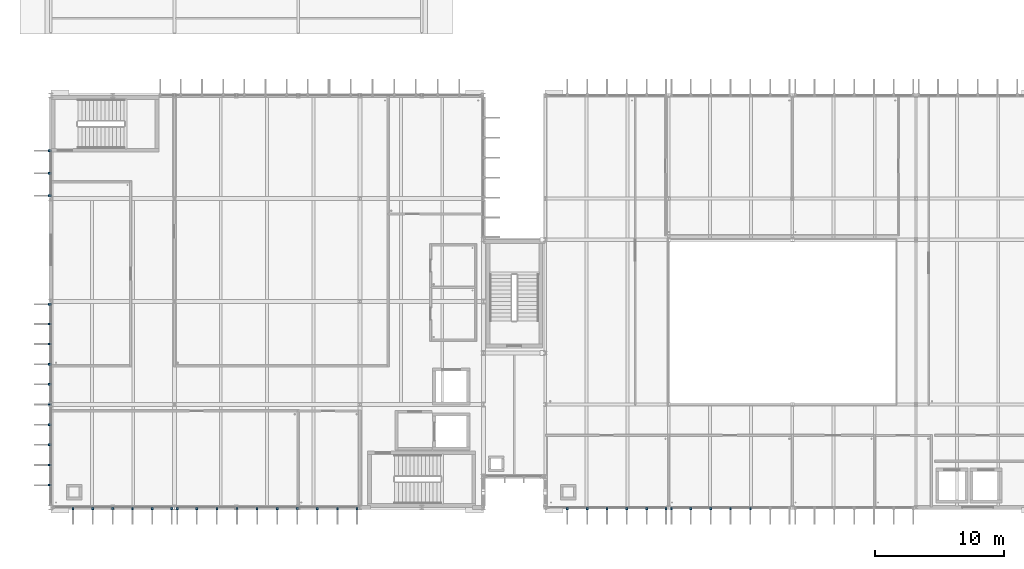
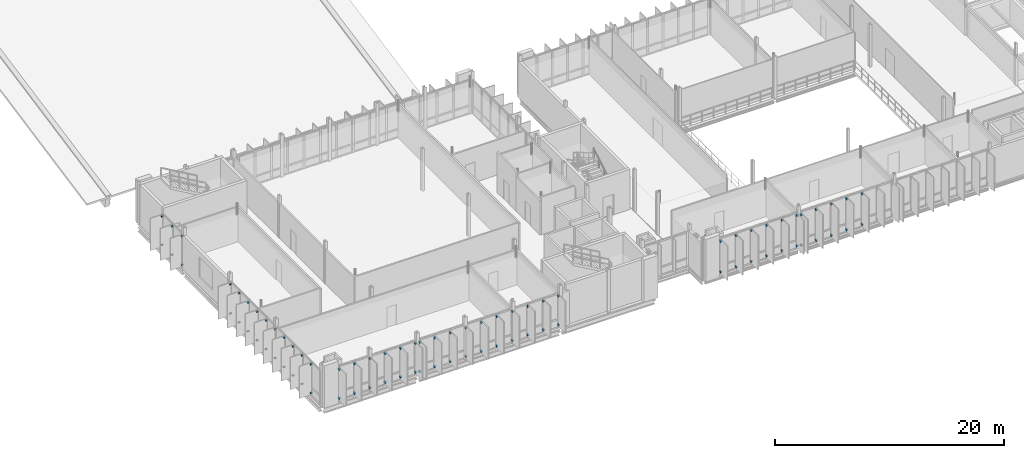
# One storey, part 50 of 59: 80 discrete accessories.
"""IFC4 building model written with IfcOpenShell, lengths in metres."""

from ifc_helpers import new_model, si_unit, direction, frame, origin, origin_2d, place, context, subcontext, project, spatial, rectangle, extrude, material, type_object, element, save


model = new_model("IFC4")

# Units and contexts
model_context = context("Model", 3, precision=1e-05, world=origin(), true_north=direction((0.0, 1.0)))
body_context = subcontext(model_context, "Body", "Model", "MODEL_VIEW")
ifc_project = project(units=[si_unit("LENGTHUNIT", "METRE"), si_unit("AREAUNIT", "SQUARE_METRE"), si_unit("VOLUMEUNIT", "CUBIC_METRE"), si_unit("PLANEANGLEUNIT", "RADIAN"), si_unit("MASSUNIT", "GRAM", prefix="KILO")], contexts=[model_context])

# Site, building, storey
site_placement = place(None, origin())
site = spatial("IfcSite", under=ifc_project, at=site_placement, CompositionType="ELEMENT")
building_placement = place(site_placement, origin())
building = spatial("IfcBuilding", under=site, at=building_placement, Name="Dunescarp Central Library", CompositionType="ELEMENT")
storey_placement = place(building_placement, frame((0.0, 0.0, 18.60009765625)))
storey = spatial("IfcBuildingStorey", under=building, at=storey_placement, Name="L04", CompositionType="ELEMENT", Elevation=18.60009765625)

# Discrete accessories
ifc_material = material(Name="Stainless steel Grade 316L", Category="steel")
discrete_accessory_type = type_object("IfcDiscreteAccessoryType", Name="ARC-ACC-BRK", PredefinedType="BRACKET", material=ifc_material)
for number, where, z_axis, x_axis, name in (
    (1, (9.385009765625, 4.719970703125, 0.27685546875), (0.0, 0.0, 1.0), (0.0, -1.0, 0.0), "Fin bracket BRK-FIN-L04-0163-B"),
    (2, (9.385009765625, 4.719970703125, 3.3349609375), (0.0, 0.0, 1.0), (0.0, -1.0, 0.0), "Fin bracket BRK-FIN-L04-0163-T"),
    (3, (7.883056640625, 4.719970703125, 0.2900390625), (0.0, 0.0, 1.0), (0.0, -1.0, 0.0), "Fin bracket BRK-FIN-L04-0164-B"),
    (4, (7.883056640625, 4.719970703125, 3.3349609375), (0.0, 0.0, 1.0), (0.0, -1.0, 0.0), "Fin bracket BRK-FIN-L04-0164-T"),
    (5, (6.342041015625, 4.719970703125, 0.27392578125), (0.0, 0.0, 1.0), (0.0, -1.0, 0.0), "Fin bracket BRK-FIN-L04-0165-B"),
    (6, (6.342041015625, 4.719970703125, 3.3349609375), (0.0, 0.0, 1.0), (0.0, -1.0, 0.0), "Fin bracket BRK-FIN-L04-0165-T"),
    (7, (4.800048828125, 4.719970703125, 0.23291015625), (0.0, 0.0, 1.0), (0.0, -1.0, 0.0), "Fin bracket BRK-FIN-L04-0166-B"),
    (8, (4.800048828125, 4.719970703125, 3.3349609375), (0.0, 0.0, 1.0), (0.0, -1.0, 0.0), "Fin bracket BRK-FIN-L04-0166-T"),
    (9, (3.258056640625, 4.719970703125, 0.18994140625), (0.0, 0.0, 1.0), (0.0, -1.0, 0.0), "Fin bracket BRK-FIN-L04-0167-B"),
    (10, (3.258056640625, 4.719970703125, 3.32373046875), (0.0, 0.0, 1.0), (0.0, -1.0, 0.0), "Fin bracket BRK-FIN-L04-0167-T"),
    (11, (1.717041015625, 4.719970703125, 0.18994140625), (0.0, 0.0, 1.0), (0.0, -1.0, 0.0), "Fin bracket BRK-FIN-L04-0168-B"),
    (12, (1.717041015625, 4.719970703125, 3.27392578125), (0.0, 0.0, 1.0), (0.0, -1.0, 0.0), "Fin bracket BRK-FIN-L04-0168-T"),
    (13, (23.784912109375, 4.719970703125, 0.27685546875), (0.0, 0.0, 1.0), (0.0, -1.0, 0.0), "Fin bracket BRK-FIN-L04-0169-B"),
    (14, (23.784912109375, 4.719970703125, 3.3349609375), (0.0, 0.0, 1.0), (0.0, -1.0, 0.0), "Fin bracket BRK-FIN-L04-0169-T"),
    (15, (22.263916015625, 4.719970703125, 0.2900390625), (0.0, 0.0, 1.0), (0.0, -1.0, 0.0), "Fin bracket BRK-FIN-L04-0170-B"),
    (16, (22.263916015625, 4.719970703125, 3.3349609375), (0.0, 0.0, 1.0), (0.0, -1.0, 0.0), "Fin bracket BRK-FIN-L04-0170-T"),
    (17, (20.702880859375, 4.719970703125, 0.27392578125), (0.0, 0.0, 1.0), (0.0, -1.0, 0.0), "Fin bracket BRK-FIN-L04-0171-B"),
    (18, (20.702880859375, 4.719970703125, 3.3349609375), (0.0, 0.0, 1.0), (0.0, -1.0, 0.0), "Fin bracket BRK-FIN-L04-0171-T"),
    (19, (19.14208984375, 4.719970703125, 0.23291015625), (0.0, 0.0, 1.0), (0.0, -1.0, 0.0), "Fin bracket BRK-FIN-L04-0172-B"),
    (20, (19.14208984375, 4.719970703125, 3.3349609375), (0.0, 0.0, 1.0), (0.0, -1.0, 0.0), "Fin bracket BRK-FIN-L04-0172-T"),
    (21, (17.5810546875, 4.719970703125, 0.18994140625), (0.0, 0.0, 1.0), (0.0, -1.0, 0.0), "Fin bracket BRK-FIN-L04-0173-B"),
    (22, (17.5810546875, 4.719970703125, 3.32373046875), (0.0, 0.0, 1.0), (0.0, -1.0, 0.0), "Fin bracket BRK-FIN-L04-0173-T"),
    (23, (16.01904296875, 4.719970703125, 0.18994140625), (0.0, 0.0, 1.0), (0.0, -1.0, 0.0), "Fin bracket BRK-FIN-L04-0174-B"),
    (24, (16.01904296875, 4.719970703125, 3.27392578125), (0.0, 0.0, 1.0), (0.0, -1.0, 0.0), "Fin bracket BRK-FIN-L04-0174-T"),
    (25, (14.4580078125, 4.719970703125, 0.18994140625), (0.0, 0.0, 1.0), (0.0, -1.0, 0.0), "Fin bracket BRK-FIN-L04-0175-B"),
    (26, (14.4580078125, 4.719970703125, 3.24072265625), (0.0, 0.0, 1.0), (0.0, -1.0, 0.0), "Fin bracket BRK-FIN-L04-0175-T"),
    (27, (12.89697265625, 4.719970703125, 0.18994140625), (0.0, 0.0, 1.0), (0.0, -1.0, 0.0), "Fin bracket BRK-FIN-L04-0176-B"),
    (28, (12.89697265625, 4.719970703125, 3.23681640625), (0.0, 0.0, 1.0), (0.0, -1.0, 0.0), "Fin bracket BRK-FIN-L04-0176-T"),
    (29, (11.3359375, 4.719970703125, 0.18994140625), (0.0, 0.0, 1.0), (0.0, -1.0, 0.0), "Fin bracket BRK-FIN-L04-0177-B"),
    (30, (11.3359375, 4.719970703125, 3.2607421875), (0.0, 0.0, 1.0), (0.0, -1.0, 0.0), "Fin bracket BRK-FIN-L04-0177-T"),
    (31, (9.81494140625, 4.719970703125, 0.18994140625), (0.0, 0.0, 1.0), (0.0, -1.0, 0.0), "Fin bracket BRK-FIN-L04-0178-B"),
    (32, (9.81494140625, 4.719970703125, 3.30712890625), (0.0, 0.0, 1.0), (0.0, -1.0, 0.0), "Fin bracket BRK-FIN-L04-0178-T"),
    (33, (-0.080078125, 6.5400390625, 0.2900390625), (0.0, 0.0, 1.0), (-1.0, 0.0, 0.0), "Fin bracket BRK-FIN-L04-0195-B"),
    (34, (-0.080078125, 6.5400390625, 3.3349609375), (0.0, 0.0, 1.0), (-1.0, 0.0, 0.0), "Fin bracket BRK-FIN-L04-0195-T"),
    (35, (-0.080078125, 8.10498046875, 0.27392578125), (0.0, 0.0, 1.0), (-1.0, 0.0, 0.0), "Fin bracket BRK-FIN-L04-0196-B"),
    (36, (-0.080078125, 8.10498046875, 3.3349609375), (0.0, 0.0, 1.0), (-1.0, 0.0, 0.0), "Fin bracket BRK-FIN-L04-0196-T"),
    (37, (-0.080078125, 9.669921875, 0.23291015625), (0.0, 0.0, 1.0), (-1.0, 0.0, 0.0), "Fin bracket BRK-FIN-L04-0197-B"),
    (38, (-0.080078125, 9.669921875, 3.3349609375), (0.0, 0.0, 1.0), (-1.0, 0.0, 0.0), "Fin bracket BRK-FIN-L04-0197-T"),
    (39, (-0.080078125, 11.235107421875, 0.18994140625), (0.0, 0.0, 1.0), (-1.0, 0.0, 0.0), "Fin bracket BRK-FIN-L04-0198-B"),
    (40, (-0.080078125, 11.235107421875, 3.32373046875), (0.0, 0.0, 1.0), (-1.0, 0.0, 0.0), "Fin bracket BRK-FIN-L04-0198-T"),
    (41, (-0.080078125, 12.800048828125, 0.18994140625), (0.0, 0.0, 1.0), (-1.0, 0.0, 0.0), "Fin bracket BRK-FIN-L04-0199-B"),
    (42, (-0.080078125, 12.800048828125, 3.27392578125), (0.0, 0.0, 1.0), (-1.0, 0.0, 0.0), "Fin bracket BRK-FIN-L04-0199-T"),
    (43, (-0.080078125, 14.364990234375, 0.18994140625), (0.0, 0.0, 1.0), (-1.0, 0.0, 0.0), "Fin bracket BRK-FIN-L04-0200-B"),
    (44, (-0.080078125, 14.364990234375, 3.24072265625), (0.0, 0.0, 1.0), (-1.0, 0.0, 0.0), "Fin bracket BRK-FIN-L04-0200-T"),
    (45, (-0.080078125, 15.929931640625, 0.18994140625), (0.0, 0.0, 1.0), (-1.0, 0.0, 0.0), "Fin bracket BRK-FIN-L04-0201-B"),
    (46, (-0.080078125, 15.929931640625, 3.23681640625), (0.0, 0.0, 1.0), (-1.0, 0.0, 0.0), "Fin bracket BRK-FIN-L04-0201-T"),
    (47, (-0.080078125, 17.4951171875, 0.18994140625), (0.0, 0.0, 1.0), (-1.0, 0.0, 0.0), "Fin bracket BRK-FIN-L04-0202-B"),
    (48, (-0.080078125, 17.4951171875, 3.2607421875), (0.0, 0.0, 1.0), (-1.0, 0.0, 0.0), "Fin bracket BRK-FIN-L04-0202-T"),
    (49, (-0.080078125, 19.06005859375, 0.18994140625), (0.0, 0.0, 1.0), (-1.0, 0.0, 0.0), "Fin bracket BRK-FIN-L04-0203-B"),
    (50, (-0.080078125, 19.06005859375, 3.30712890625), (0.0, 0.0, 1.0), (-1.0, 0.0, 0.0), "Fin bracket BRK-FIN-L04-0203-T"),
    (51, (-0.080078125, 20.5849609375, 0.2158203125), (0.0, 0.0, 1.0), (-1.0, 0.0, 0.0), "Fin bracket BRK-FIN-L04-0204-B"),
    (52, (-0.080078125, 20.5849609375, 3.3349609375), (0.0, 0.0, 1.0), (-1.0, 0.0, 0.0), "Fin bracket BRK-FIN-L04-0204-T"),
    (53, (-0.080078125, 29.014892578125, 0.27685546875), (0.0, 0.0, 1.0), (-1.0, 0.0, 0.0), "Fin bracket BRK-FIN-L04-0205-B"),
    (54, (-0.080078125, 29.014892578125, 3.3349609375), (0.0, 0.0, 1.0), (-1.0, 0.0, 0.0), "Fin bracket BRK-FIN-L04-0205-T"),
    (55, (-0.080078125, 30.761962890625, 0.2900390625), (0.0, 0.0, 1.0), (-1.0, 0.0, 0.0), "Fin bracket BRK-FIN-L04-0206-B"),
    (56, (-0.080078125, 30.761962890625, 3.3349609375), (0.0, 0.0, 1.0), (-1.0, 0.0, 0.0), "Fin bracket BRK-FIN-L04-0206-T"),
    (57, (-0.080078125, 32.510009765625, 0.27392578125), (0.0, 0.0, 1.0), (-1.0, 0.0, 0.0), "Fin bracket BRK-FIN-L04-0207-B"),
    (58, (-0.080078125, 32.510009765625, 3.3349609375), (0.0, 0.0, 1.0), (-1.0, 0.0, 0.0), "Fin bracket BRK-FIN-L04-0207-T"),
    (59, (47.784912109375, 4.719970703125, 0.27685546875), (0.0, 0.0, 1.0), (0.0, -1.0, 0.0), "Fin bracket BRK-FIN-L04-0464-B"),
    (60, (47.784912109375, 4.719970703125, 3.52490234375), (0.0, 0.0, 1.0), (0.0, -1.0, 0.0), "Fin bracket BRK-FIN-L04-0464-T"),
    (61, (46.282958984375, 4.719970703125, 0.2900390625), (0.0, 0.0, 1.0), (0.0, -1.0, 0.0), "Fin bracket BRK-FIN-L04-0465-B"),
    (62, (46.282958984375, 4.719970703125, 3.52490234375), (0.0, 0.0, 1.0), (0.0, -1.0, 0.0), "Fin bracket BRK-FIN-L04-0465-T"),
    (63, (44.741943359375, 4.719970703125, 0.27392578125), (0.0, 0.0, 1.0), (0.0, -1.0, 0.0), "Fin bracket BRK-FIN-L04-0466-B"),
    (64, (44.741943359375, 4.719970703125, 3.52490234375), (0.0, 0.0, 1.0), (0.0, -1.0, 0.0), "Fin bracket BRK-FIN-L04-0466-T"),
    (65, (43.199951171875, 4.719970703125, 0.23291015625), (0.0, 0.0, 1.0), (0.0, -1.0, 0.0), "Fin bracket BRK-FIN-L04-0467-B"),
    (66, (43.199951171875, 4.719970703125, 3.52490234375), (0.0, 0.0, 1.0), (0.0, -1.0, 0.0), "Fin bracket BRK-FIN-L04-0467-T"),
    (67, (41.657958984375, 4.719970703125, 0.18994140625), (0.0, 0.0, 1.0), (0.0, -1.0, 0.0), "Fin bracket BRK-FIN-L04-0468-B"),
    (68, (41.657958984375, 4.719970703125, 3.51416015625), (0.0, 0.0, 1.0), (0.0, -1.0, 0.0), "Fin bracket BRK-FIN-L04-0468-T"),
    (69, (40.116943359375, 4.719970703125, 0.18994140625), (0.0, 0.0, 1.0), (0.0, -1.0, 0.0), "Fin bracket BRK-FIN-L04-0469-B"),
    (70, (40.116943359375, 4.719970703125, 3.4638671875), (0.0, 0.0, 1.0), (0.0, -1.0, 0.0), "Fin bracket BRK-FIN-L04-0469-T"),
    (71, (54.342041015625, 4.719970703125, 0.27392578125), (0.0, 0.0, 1.0), (0.0, -1.0, 0.0), "Fin bracket BRK-FIN-L04-0472-B"),
    (72, (54.342041015625, 4.719970703125, 3.52490234375), (0.0, 0.0, 1.0), (0.0, -1.0, 0.0), "Fin bracket BRK-FIN-L04-0472-T"),
    (73, (52.800048828125, 4.719970703125, 0.23291015625), (0.0, 0.0, 1.0), (0.0, -1.0, 0.0), "Fin bracket BRK-FIN-L04-0473-B"),
    (74, (52.800048828125, 4.719970703125, 3.52490234375), (0.0, 0.0, 1.0), (0.0, -1.0, 0.0), "Fin bracket BRK-FIN-L04-0473-T"),
    (75, (51.258056640625, 4.719970703125, 0.18994140625), (0.0, 0.0, 1.0), (0.0, -1.0, 0.0), "Fin bracket BRK-FIN-L04-0474-B"),
    (76, (51.258056640625, 4.719970703125, 3.51416015625), (0.0, 0.0, 1.0), (0.0, -1.0, 0.0), "Fin bracket BRK-FIN-L04-0474-T"),
    (77, (49.717041015625, 4.719970703125, 0.18994140625), (0.0, 0.0, 1.0), (0.0, -1.0, 0.0), "Fin bracket BRK-FIN-L04-0475-B"),
    (78, (49.717041015625, 4.719970703125, 3.4638671875), (0.0, 0.0, 1.0), (0.0, -1.0, 0.0), "Fin bracket BRK-FIN-L04-0475-T"),
    (79, (48.215087890625, 4.719970703125, 0.18994140625), (0.0, 0.0, 1.0), (0.0, -1.0, 0.0), "Fin bracket BRK-FIN-L04-0476-B"),
    (80, (48.215087890625, 4.719970703125, 3.43115234375), (0.0, 0.0, 1.0), (0.0, -1.0, 0.0), "Fin bracket BRK-FIN-L04-0476-T"),
):
    element("IfcDiscreteAccessory", number, at=place(storey_placement, frame(where, z_axis=z_axis, x_axis=x_axis)), inside=storey, type_object=discrete_accessory_type, Name=name, PredefinedType="BRACKET", context=body_context, shape_type="SweptSolid", body=[
        extrude(rectangle(XDim=0.219970703125, YDim=0.139892578125, at=origin_2d()), origin(), (0.0, 0.0, 1.0), 0.139892578125),
    ])

save(model, "model.ifc")
